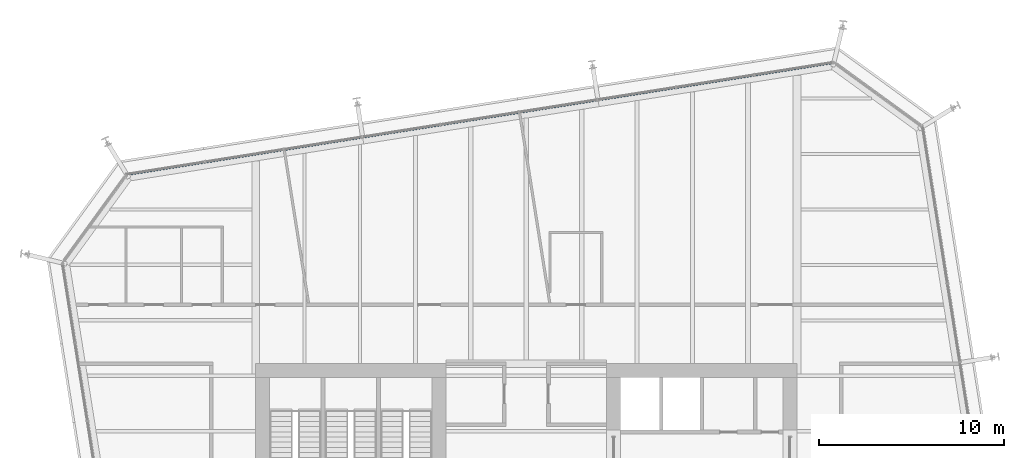
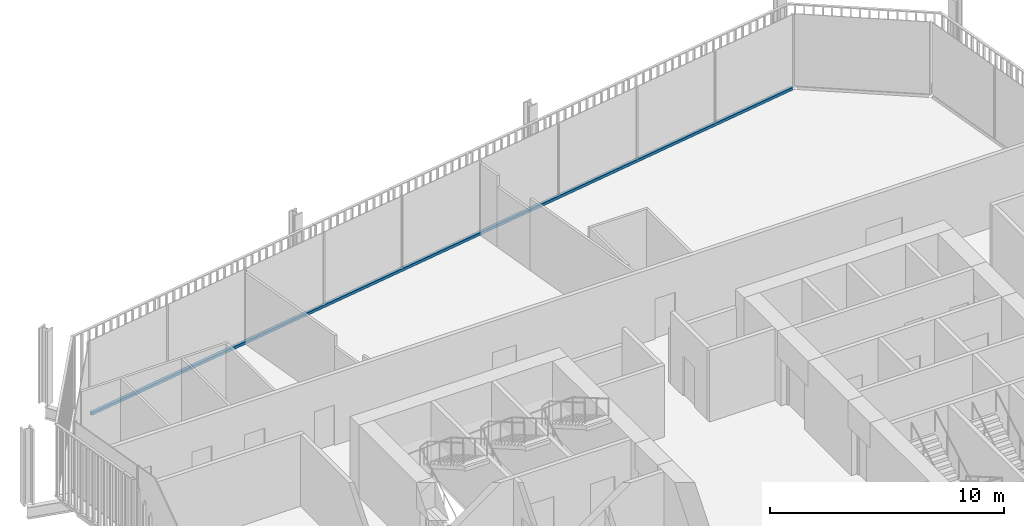
# One storey, part 12 of 21: 1 member, 1 element without a shape of its own.
"""IFC4 building model written with IfcOpenShell, lengths in metres."""

from ifc_helpers import new_model, si_unit, direction, frame, origin, origin_2d, place, context, subcontext, project, spatial, rectangle, extrude, material, layer, layer_set, material_profile, profile_set, type_object, element, aggregate, save


model = new_model("IFC4")

# Units and contexts
model_context = context("Model", 3, precision=1e-05, world=origin(), true_north=direction((0.0, 1.0)))
body_context = subcontext(model_context, "Body", "Model", "MODEL_VIEW")
ifc_project = project(units=[si_unit("LENGTHUNIT", "METRE"), si_unit("AREAUNIT", "SQUARE_METRE"), si_unit("VOLUMEUNIT", "CUBIC_METRE"), si_unit("PLANEANGLEUNIT", "RADIAN"), si_unit("MASSUNIT", "GRAM", prefix="KILO")], contexts=[model_context])

# Site, building, storey
site_placement = place(None, origin())
site = spatial("IfcSite", under=ifc_project, at=site_placement, CompositionType="ELEMENT")
building_placement = place(site_placement, origin())
building = spatial("IfcBuilding", under=site, at=building_placement, Name="Millrace Tower", CompositionType="ELEMENT")
storey_placement = place(building_placement, frame((0.0, 0.0, 133.39990234375)))
storey = spatial("IfcBuildingStorey", under=building, at=storey_placement, Name="L29", CompositionType="ELEMENT", Elevation=133.39990234375)

# Curtain wall, member
ifc_material_1 = material(Name="Aluminium and glass", Category="aluminium")
ifc_layer = layer(ifc_material_1, 0.14990234375)
ifc_layer_set = layer_set([ifc_layer], Name="Aluminium and glass")
curtain_wall_type = type_object("IfcCurtainWallType", Name="CW-1 office vision curtain wall", PredefinedType="NOTDEFINED", material=ifc_layer_set)
curtain_wall_placement = place(storey_placement, origin())
curtain_wall = element("IfcCurtainWall", 1, at=curtain_wall_placement, inside=storey, type_object=curtain_wall_type, Name="Curtain wall C-F06 L29", PredefinedType="NOTDEFINED")
ifc_material_2 = material(Name="Aluminium", Category="aluminium")
ifc_material_profile = material_profile(ifc_material_2, rectangle(XDim=0.14990234375, YDim=0.139892578125, at=origin_2d()))
ifc_profile_set = profile_set([ifc_material_profile], Name="Aluminium")
member_type = type_object("IfcMemberType", Name="CW-1 office vision curtain wall transom", PredefinedType="USERDEFINED", material=ifc_profile_set)
member_placement = place(storey_placement, frame((16.525146484375, 25.946044921875, 0.070068359375), z_axis=(-0.987688505691, -0.156433422663, 0.0), x_axis=(0.156433422663, -0.987688505691, 0.0)))
member = element("IfcMember", 2, at=member_placement, type_object=member_type, Name="CW1 transom C-F06.1", ObjectType="TRANSOM", PredefinedType="USERDEFINED", context=body_context, shape_type="SweptSolid", body=[
    extrude(rectangle(XDim=0.14990234375, YDim=0.139892578125, at=origin_2d()), origin(), (0.0, 0.0, 1.0), 38.5),
])
aggregate(curtain_wall, [member])

save(model, "model.ifc")
